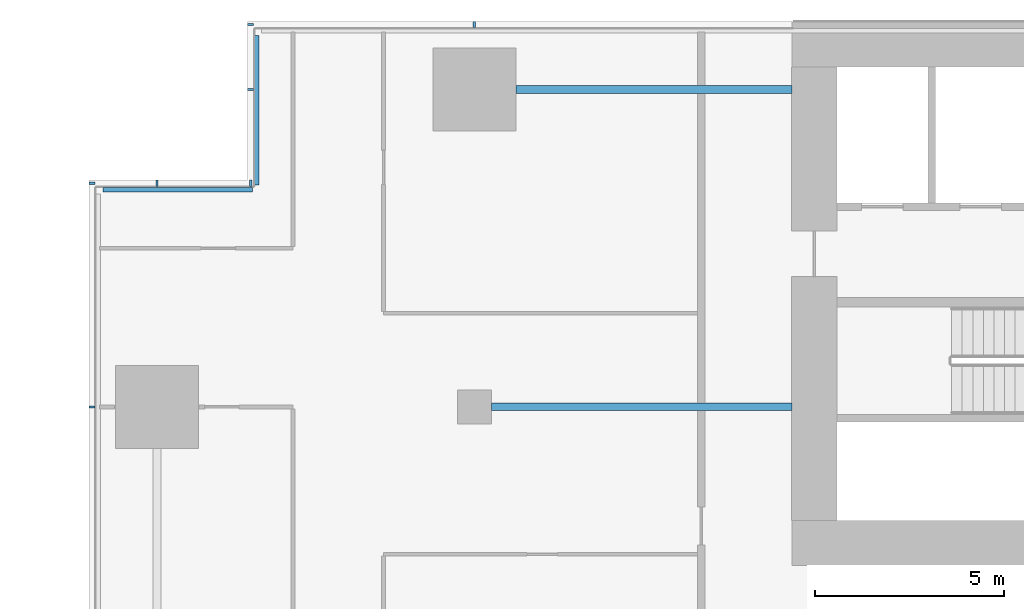
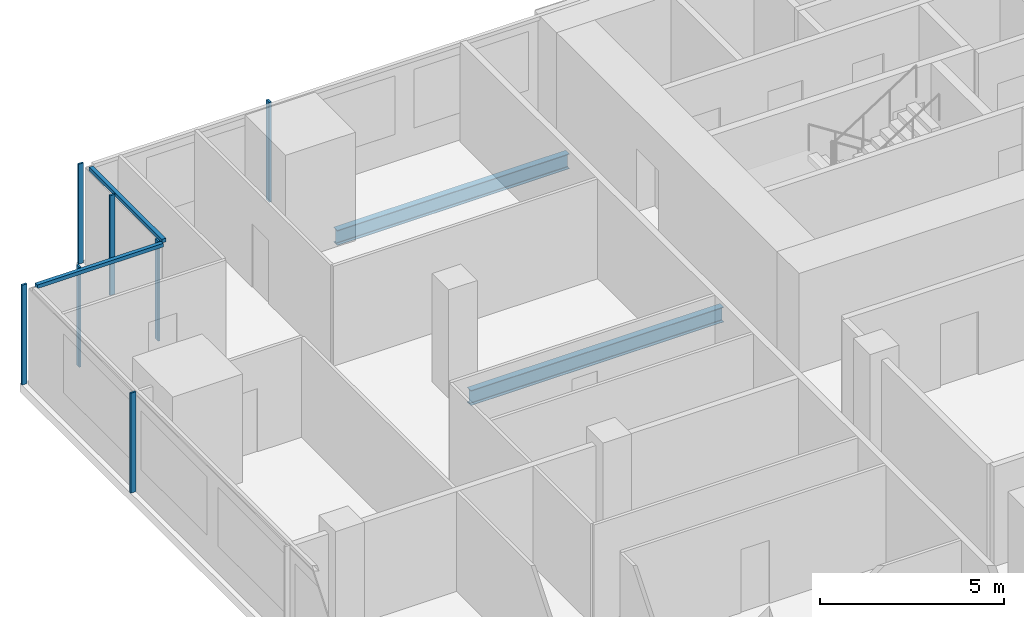
# One storey, part 7 of 27: 9 members, 2 beams, 4 elements without a shape of their own.
"""IFC4 building model written with IfcOpenShell, lengths in metres."""

from ifc_helpers import new_model, si_unit, direction, frame, origin, origin_2d, place, context, subcontext, project, spatial, rectangle, i_section, extrude, material, material_profile, profile_set, type_object, element, aggregate, save


model = new_model("IFC4")

# Units and contexts
model_context = context("Model", 3, precision=1e-05, world=origin(), true_north=direction((0.0, 1.0)))
body_context = subcontext(model_context, "Body", "Model", "MODEL_VIEW")
ifc_project = project(units=[si_unit("LENGTHUNIT", "METRE"), si_unit("AREAUNIT", "SQUARE_METRE"), si_unit("VOLUMEUNIT", "CUBIC_METRE"), si_unit("PLANEANGLEUNIT", "RADIAN"), si_unit("MASSUNIT", "GRAM", prefix="KILO")], contexts=[model_context])

# Site, building, storey
site_placement = place(None, origin())
site = spatial("IfcSite", under=ifc_project, at=site_placement, CompositionType="ELEMENT")
building_placement = place(site_placement, origin())
building = spatial("IfcBuilding", under=site, at=building_placement, Name="Saffron Gate Tower", CompositionType="ELEMENT")
storey_placement = place(building_placement, frame((0.0, 0.0, 76.800048828125)))
storey = spatial("IfcBuildingStorey", under=building, at=storey_placement, Name="L18", CompositionType="ELEMENT", Elevation=76.800048828125)

# Beams
ifc_material_1 = material(Name="Structural steel S355", Category="steel")
ifc_material_profile_1 = material_profile(ifc_material_1, i_section(OverallWidth=0.199951171875, OverallDepth=0.5, WebThickness=0.01025390625, FlangeThickness=0.01611328125, FilletRadius=0.02099609375, at=origin_2d()))
ifc_profile_set_1 = profile_set([ifc_material_profile_1], Name="Structural steel S355")
beam_type = type_object("IfcBeamType", Name="B10 IPE 500", PredefinedType="BEAM", material=ifc_profile_set_1)
beam_1_placement = place(storey_placement, frame((58.64990234375, 65.39990234375, -0.530029296875), z_axis=(1.0, 0.0, 0.0), x_axis=(0.0, 1.0, 0.0)))
element("IfcBeam", 1, at=beam_1_placement, inside=storey, type_object=beam_type, Name="B10 CORE TIE BEAM", PredefinedType="BEAM", context=body_context, shape_type="SweptSolid", body=[
    extrude(i_section(OverallWidth=0.199951171875, OverallDepth=0.5, WebThickness=0.01025390625, FlangeThickness=0.01611328125, FilletRadius=0.02099609375, at=origin_2d()), origin(), (0.0, 0.0, 1.0), 7.9501953125),
])
beam_2_placement = place(storey_placement, frame((59.300048828125, 73.800048828125, -0.530029296875), z_axis=(1.0, 0.0, 0.0), x_axis=(0.0, 1.0, 0.0)))
element("IfcBeam", 2, at=beam_2_placement, inside=storey, type_object=beam_type, Name="B10 CORE TIE BEAM", PredefinedType="BEAM", context=body_context, shape_type="SweptSolid", body=[
    extrude(i_section(OverallWidth=0.199951171875, OverallDepth=0.5, WebThickness=0.01025390625, FlangeThickness=0.01611328125, FilletRadius=0.02099609375, at=origin_2d()), origin(), (0.0, 0.0, 1.0), 7.300048828125),
])

# Curtain wall, members
ifc_material_2 = material(Name="Aluminium, bronze anodised", Category="aluminium")
curtain_wall_type_1 = type_object("IfcCurtainWallType", Name="CWS2 curtain wall side facades", PredefinedType="NOTDEFINED", material=ifc_material_2)
curtain_wall_1_placement = place(storey_placement, origin())
curtain_wall_1 = element("IfcCurtainWall", 3, at=curtain_wall_1_placement, inside=storey, type_object=curtain_wall_type_1, Name="CWS2 run 10", PredefinedType="NOTDEFINED")
ifc_material_profile_2 = material_profile(ifc_material_2, rectangle(XDim=0.159912109375, YDim=0.06005859375, at=origin_2d()))
ifc_profile_set_2 = profile_set([ifc_material_profile_2], Name="Aluminium, bronze anodised")
member_type_1 = type_object("IfcMemberType", Name="CWS2 mullion 60x160", PredefinedType="MULLION", material=ifc_profile_set_2)
member_1_placement = place(storey_placement, frame((48.080078125, 71.320068359375, 0.0), z_axis=(0.0, 0.0, 1.0), x_axis=(1.0, 0.0, 0.0)))
member_1 = element("IfcMember", 4, at=member_1_placement, type_object=member_type_1, Name="CWS2 mullion 1", PredefinedType="MULLION", context=body_context, shape_type="SweptSolid", body=[
    extrude(rectangle(XDim=0.159912109375, YDim=0.06005859375, at=origin_2d()), origin(), (0.0, 0.0, 1.0), 3.320068359375),
])
member_2_placement = place(storey_placement, frame((48.080078125, 65.39990234375, 0.0), z_axis=(0.0, 0.0, 1.0), x_axis=(1.0, 0.0, 0.0)))
member_2 = element("IfcMember", 5, at=member_2_placement, type_object=member_type_1, Name="CWS2 mullion 2", PredefinedType="MULLION", context=body_context, shape_type="SweptSolid", body=[
    extrude(rectangle(XDim=0.159912109375, YDim=0.06005859375, at=origin_2d()), origin(), (0.0, 0.0, 1.0), 3.320068359375),
])
aggregate(curtain_wall_1, [member_1, member_2])

# Curtain wall, member
curtain_wall_type_2 = type_object("IfcCurtainWallType", Name="CWS3 curtain wall rear facade", PredefinedType="NOTDEFINED", material=ifc_material_2)
curtain_wall_2_placement = place(storey_placement, origin())
curtain_wall_2 = element("IfcCurtainWall", 6, at=curtain_wall_2_placement, inside=storey, type_object=curtain_wall_type_2, Name="CWS3 run 7", PredefinedType="NOTDEFINED")
ifc_material_profile_3 = material_profile(ifc_material_2, rectangle(XDim=0.159912109375, YDim=0.070068359375, at=origin_2d()))
ifc_profile_set_3 = profile_set([ifc_material_profile_3], Name="Aluminium, bronze anodised")
member_type_2 = type_object("IfcMemberType", Name="CWS3 mullion 70x160", PredefinedType="MULLION", material=ifc_profile_set_3)
member_3_placement = place(storey_placement, frame((58.199951171875, 75.52001953125, 0.0), z_axis=(0.0, 0.0, 1.0), x_axis=(0.0, -1.0, 0.0)))
member_3 = element("IfcMember", 7, at=member_3_placement, type_object=member_type_2, Name="CWS3 mullion 9", PredefinedType="MULLION", context=body_context, shape_type="SweptSolid", body=[
    extrude(rectangle(XDim=0.159912109375, YDim=0.070068359375, at=origin_2d()), origin(), (0.0, 0.0, 1.0), 3.320068359375),
])
aggregate(curtain_wall_2, [member_3])

curtain_wall_type_3 = type_object("IfcCurtainWallType", Name="CWS4 curtain wall corner returns", PredefinedType="NOTDEFINED", material=ifc_material_2)
curtain_wall_3_placement = place(storey_placement, origin())
curtain_wall_3 = element("IfcCurtainWall", 8, at=curtain_wall_3_placement, inside=storey, type_object=curtain_wall_type_3, Name="CWS4 run 8", PredefinedType="NOTDEFINED")
ifc_material_profile_4 = material_profile(ifc_material_2, rectangle(XDim=0.1201171875, YDim=0.1201171875, at=origin_2d()))
ifc_profile_set_4 = profile_set([ifc_material_profile_4], Name="Aluminium, bronze anodised")
member_type_3 = type_object("IfcMemberType", Name="CWS4 head transom", PredefinedType="USERDEFINED", material=ifc_profile_set_4)
member_4_placement = place(storey_placement, frame((52.447998046875, 75.23193359375, 3.260009765625), z_axis=(0.0, -1.0, 0.0), x_axis=(1.0, 0.0, 0.0)))
member_4 = element("IfcMember", 9, at=member_4_placement, type_object=member_type_3, Name="CWS4 head transom", ObjectType="TRANSOM", PredefinedType="USERDEFINED", context=body_context, shape_type="SweptSolid", body=[
    extrude(rectangle(XDim=0.1201171875, YDim=0.1201171875, at=origin_2d()), origin(), (0.0, 0.0, 1.0), 3.9599609375),
])

curtain_wall_4_placement = place(storey_placement, origin())
curtain_wall_4 = element("IfcCurtainWall", 10, at=curtain_wall_4_placement, inside=storey, type_object=curtain_wall_type_3, Name="CWS4 run 9", PredefinedType="NOTDEFINED")
member_5_placement = place(storey_placement, frame((52.327880859375, 71.152099609375, 3.260009765625), z_axis=(-1.0, 0.0, 0.0), x_axis=(0.0, -1.0, 0.0)))
member_5 = element("IfcMember", 11, at=member_5_placement, type_object=member_type_3, Name="CWS4 head transom", ObjectType="TRANSOM", PredefinedType="USERDEFINED", context=body_context, shape_type="SweptSolid", body=[
    extrude(rectangle(XDim=0.1201171875, YDim=0.1201171875, at=origin_2d()), origin(), (0.0, 0.0, 1.0), 3.9599609375),
])

# Member
ifc_material_profile_5 = material_profile(ifc_material_2, rectangle(XDim=0.159912109375, YDim=0.06005859375, at=origin_2d()))
ifc_profile_set_5 = profile_set([ifc_material_profile_5], Name="Aluminium, bronze anodised")
member_type_4 = type_object("IfcMemberType", Name="CWS4 mullion 60x160", PredefinedType="MULLION", material=ifc_profile_set_5)
member_6_placement = place(storey_placement, frame((52.280029296875, 75.52001953125, 0.0), z_axis=(0.0, 0.0, 1.0), x_axis=(1.0, 0.0, 0.0)))
member_6 = element("IfcMember", 12, at=member_6_placement, type_object=member_type_4, Name="CWS4 mullion 1", PredefinedType="MULLION", context=body_context, shape_type="SweptSolid", body=[
    extrude(rectangle(XDim=0.159912109375, YDim=0.06005859375, at=origin_2d()), origin(), (0.0, 0.0, 1.0), 3.320068359375),
])

member_7_placement = place(storey_placement, frame((52.280029296875, 73.800048828125, 0.0), z_axis=(0.0, 0.0, 1.0), x_axis=(1.0, 0.0, 0.0)))
member_7 = element("IfcMember", 13, at=member_7_placement, type_object=member_type_4, Name="CWS4 mullion 2", PredefinedType="MULLION", context=body_context, shape_type="SweptSolid", body=[
    extrude(rectangle(XDim=0.159912109375, YDim=0.06005859375, at=origin_2d()), origin(), (0.0, 0.0, 1.0), 3.320068359375),
])

aggregate(curtain_wall_3, [member_6, member_7, member_4])

member_8_placement = place(storey_placement, frame((52.280029296875, 71.320068359375, 0.0), z_axis=(0.0, 0.0, 1.0), x_axis=(0.0, -1.0, 0.0)))
member_8 = element("IfcMember", 14, at=member_8_placement, type_object=member_type_4, Name="CWS4 mullion 1", PredefinedType="MULLION", context=body_context, shape_type="SweptSolid", body=[
    extrude(rectangle(XDim=0.159912109375, YDim=0.06005859375, at=origin_2d()), origin(), (0.0, 0.0, 1.0), 3.320068359375),
])

member_9_placement = place(storey_placement, frame((49.800048828125, 71.320068359375, 0.0), z_axis=(0.0, 0.0, 1.0), x_axis=(0.0, -1.0, 0.0)))
member_9 = element("IfcMember", 15, at=member_9_placement, type_object=member_type_4, Name="CWS4 mullion 2", PredefinedType="MULLION", context=body_context, shape_type="SweptSolid", body=[
    extrude(rectangle(XDim=0.159912109375, YDim=0.06005859375, at=origin_2d()), origin(), (0.0, 0.0, 1.0), 3.320068359375),
])

aggregate(curtain_wall_4, [member_8, member_9, member_5])

save(model, "model.ifc")
